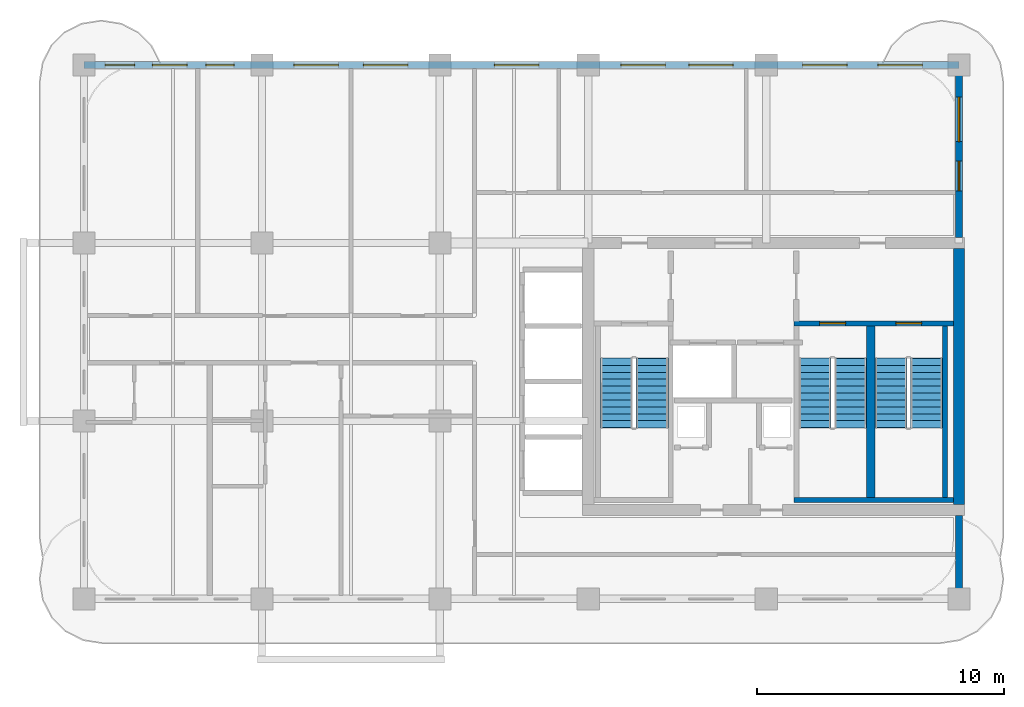
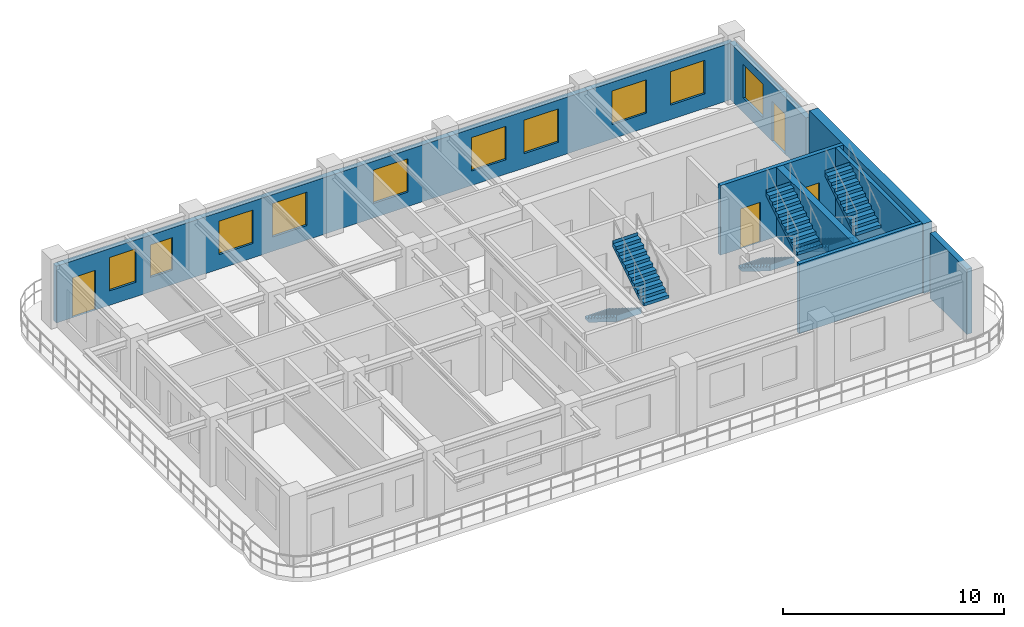
# One storey, part 5 of 7: 10 windows, 8 walls, 6 stair flights, 4 doors, 14 openings, 3 elements without a shape of their own.
"""IFC4 building model written with IfcOpenShell, lengths in metres."""

from ifc_helpers import new_model, si_unit, derived_unit, direction, frame, frame_2d, origin, place, context, subcontext, project, spatial, polyline, rectangle, outline, extrude, source, transform, mapped, material, layer, layer_set, type_object, type_shapes, element, fill, aggregate, save


model = new_model("IFC4")

# Units and contexts
model_context = context("Model", 3, precision=1e-05, world=origin(), true_north=direction((0.0, 1.0)))
body_context = subcontext(model_context, "Body", "Model", "MODEL_VIEW")
ifc_project = project(units=[si_unit("LENGTHUNIT", "METRE"), si_unit("AREAUNIT", "SQUARE_METRE"), si_unit("VOLUMEUNIT", "CUBIC_METRE"), si_unit("PLANEANGLEUNIT", "RADIAN"), si_unit("MASSUNIT", "GRAM", prefix="KILO"), si_unit("THERMODYNAMICTEMPERATUREUNIT", "KELVIN"), si_unit("POWERUNIT", "WATT"), derived_unit("THERMALTRANSMITTANCEUNIT", [(si_unit("POWERUNIT", "WATT"), 1), (si_unit("AREAUNIT", "SQUARE_METRE"), -1), (si_unit("THERMODYNAMICTEMPERATUREUNIT", "KELVIN"), -1)])], contexts=[model_context])

# Site, building, storey
site_placement = place(None, origin())
site = spatial("IfcSite", under=ifc_project, at=site_placement, CompositionType="ELEMENT")
building_placement = place(site_placement, origin())
building = spatial("IfcBuilding", under=site, at=building_placement, Name="Zahravan Archway Hotel and Residences", CompositionType="ELEMENT")
storey_placement = place(building_placement, frame((0.0, 0.0, 244.25)))
storey = spatial("IfcBuildingStorey", under=building, at=storey_placement, Name="L61", CompositionType="ELEMENT", Elevation=244.25)

# Walls
ifc_material_1 = material(Name="Concrete C50/60", Category="concrete")
ifc_layer_1 = layer(ifc_material_1, 0.449951171875, Name="Concrete C50/60", Category="concrete")
ifc_layer_set_1 = layer_set([ifc_layer_1], Name="Concrete C50/60")
wall_type_1 = type_object("IfcWallType", Name="CW-CORE-450", PredefinedType="SHEAR", material=ifc_layer_set_1)
wall_1_placement = place(storey_placement, frame((49.800048828125, 3.824951171875, 0.0), z_axis=(0.0, 0.0, 1.0), x_axis=(0.0, 1.0, 0.0)))
element("IfcWall", 1, at=wall_1_placement, inside=storey, type_object=wall_type_1, Name="L61 Core A Shear E Wall 450 mm", PredefinedType="SHEAR", context=body_context, shape_type="SweptSolid", body=[
    extrude(rectangle(XDim=10.35009765625, YDim=0.449951171875, at=frame_2d((5.175048828125, 0.0))), origin(), (0.0, 0.0, 1.0), 3.85009765625),
])
ifc_material_2 = material(Name="Honed Red-Ochre Sandstone & Insulated Block", Category="masonry")
ifc_layer_2 = layer(ifc_material_2, 0.280029296875, Name="Honed Red-Ochre Sandstone & Insulated Block", Category="masonry")
ifc_layer_set_2 = layer_set([ifc_layer_2], Name="Honed Red-Ochre Sandstone & Insulated Block")
wall_type_2 = type_object("IfcWallType", Name="EW-LOG-280", PredefinedType="SOLIDWALL", material=ifc_layer_set_2)
wall_2_placement = place(storey_placement, frame((49.800048828125, 0.050048828125, 0.0), z_axis=(0.0, 0.0, 1.0), x_axis=(0.0, 1.0, 0.0)))
element("IfcWall", 2, at=wall_2_placement, inside=storey, type_object=wall_type_2, Name="L61 Exterior Sandstone Wall WA-ES", PredefinedType="SOLIDWALL", context=body_context, shape_type="SweptSolid", body=[
    extrude(rectangle(XDim=3.329833984375, YDim=0.280029296875, at=frame_2d((1.6650390625, 0.0))), origin(), (0.0, 0.0, 1.0), 3.60009765625),
])

# Wall, openings, door, window
wall_3_placement = place(storey_placement, frame((49.800048828125, 14.6201171875, 0.0), z_axis=(0.0, 0.0, 1.0), x_axis=(0.0, 1.0, 0.0)))
wall_3 = element("IfcWall", 3, at=wall_3_placement, inside=storey, type_object=wall_type_2, Name="L61 Exterior Sandstone Wall WA-EN", PredefinedType="SOLIDWALL", context=body_context, shape_type="SweptSolid", body=[
    extrude(rectangle(XDim=6.929931640625, YDim=0.280029296875, at=frame_2d((3.46484375, 0.0))), origin(), (0.0, 0.0, 1.0), 3.135009765625),
])
opening_1_placement = place(wall_3_placement, frame((1.888916015625, 0.0, 0.0)))
opening_1 = element("IfcOpeningElement", 4, at=opening_1_placement, cuts=wall_3, Name="Opening ED-BL1", PredefinedType="OPENING", context=body_context, shape_type="SweptSolid", body=[
    extrude(rectangle(XDim=1.199951171875, YDim=2.199951171875, at=frame_2d((0.60009765625, 1.10009765625))), frame((0.0, 0.14990234375, 0.0), z_axis=(0.0, -1.0, 0.0), x_axis=(1.0, 0.0, 0.0)), (0.0, 0.0, 1.0), 0.300048828125),
])
opening_2_placement = place(wall_3_placement, frame((3.884033203125, 0.0, 0.800048828125)))
opening_2 = element("IfcOpeningElement", 5, at=opening_2_placement, cuts=wall_3, Name="Opening W-02", PredefinedType="OPENING", context=body_context, shape_type="SweptSolid", body=[
    extrude(rectangle(XDim=1.800048828125, YDim=1.85009765625, at=frame_2d((0.89990234375, 0.925048828125))), frame((0.0, 0.14990234375, 0.0), z_axis=(0.0, -1.0, 0.0), x_axis=(1.0, 0.0, 0.0)), (0.0, 0.0, 1.0), 0.300048828125),
])
ifc_material_3 = material(Name="Bronze-Anodized Glazed Aluminium", Category="aluminium")
door_type_1 = type_object("IfcDoorType", Name="ED-BALC-1200", OperationType="SLIDING_TO_LEFT", PredefinedType="DOOR", material=ifc_material_3)
shared_shape_1 = source(origin(), body_context, "Body", "SweptSolid", [
    extrude(rectangle(XDim=1.199951171875, YDim=2.199951171875, at=frame_2d((0.60009765625, 1.10009765625))), frame((0.0, 0.02490234375, 0.0), z_axis=(0.0, -1.0, 0.0), x_axis=(1.0, 0.0, 0.0)), (0.0, 0.0, 1.0), 0.050048828125),
])
type_shapes(door_type_1, [shared_shape_1])
door_1_placement = place(opening_1_placement, origin())
door_1 = element("IfcDoor", 6, at=door_1_placement, inside=storey, type_object=door_type_1, Name="L61 Outdoor Access Sliding Door (SLB-BAL-L61-EA)", OperationType="SLIDING_TO_LEFT", OverallHeight=2.199951171875, OverallWidth=1.199951171875, PredefinedType="DOOR", context=body_context, shape_type="MappedRepresentation", body=[
    mapped(shared_shape_1, transform((0.0, 0.0, 0.0), scale=1.0)),
])
fill(opening_1, door_1)
ifc_material_4 = material(Name="Bronze-Anodized Thermal-Break Aluminium & Low-E Glass", Category="aluminium")
window_type_1 = type_object("IfcWindowType", Name="WIN-TWR-1800", PartitioningType="DOUBLE_PANEL_VERTICAL", PredefinedType="WINDOW", material=ifc_material_4)
shared_shape_2 = source(origin(), body_context, "Body", "SweptSolid", [
    extrude(rectangle(XDim=1.800048828125, YDim=1.85009765625, at=frame_2d((0.89990234375, 0.925048828125))), frame((0.0, 0.030029296875, 0.0), z_axis=(0.0, -1.0, 0.0), x_axis=(1.0, 0.0, 0.0)), (0.0, 0.0, 1.0), 0.06005859375),
])
type_shapes(window_type_1, [shared_shape_2])
window_1_placement = place(opening_2_placement, origin())
window_1 = element("IfcWindow", 7, at=window_1_placement, inside=storey, type_object=window_type_1, Name="L61 Loggia Window 10", OverallHeight=1.85009765625, OverallWidth=1.800048828125, PartitioningType="DOUBLE_PANEL_VERTICAL", PredefinedType="WINDOW", context=body_context, shape_type="MappedRepresentation", body=[
    mapped(shared_shape_2, transform((0.0, 0.0, 0.0), scale=1.0)),
])
fill(opening_2, window_1)

# Wall, openings, door, windows
wall_4_placement = place(storey_placement, frame((14.39990234375, 21.60009765625, 0.0), z_axis=(0.0, 0.0, 1.0), x_axis=(1.0, 0.0, 0.0)))
wall_4 = element("IfcWall", 8, at=wall_4_placement, inside=storey, type_object=wall_type_2, Name="L61 Exterior Sandstone Wall WA-N", PredefinedType="SOLIDWALL", context=body_context, shape_type="SweptSolid", body=[
    extrude(rectangle(XDim=35.400146484375, YDim=0.280029296875, at=frame_2d((17.7001953125, 0.0))), origin(), (0.0, 0.0, 1.0), 3.135009765625),
])
opening_3_placement = place(wall_4_placement, frame((0.85009765625, 0.0, 0.0)))
opening_3 = element("IfcOpeningElement", 9, at=opening_3_placement, cuts=wall_4, Name="Opening ED-BL1", PredefinedType="OPENING", context=body_context, shape_type="SweptSolid", body=[
    extrude(rectangle(XDim=1.199951171875, YDim=2.199951171875, at=frame_2d((0.60009765625, 1.10009765625))), frame((0.0, 0.14990234375, 0.0), z_axis=(0.0, -1.0, 0.0), x_axis=(1.0, 0.0, 0.0)), (0.0, 0.0, 1.0), 0.300048828125),
])
opening_4_placement = place(wall_4_placement, frame((2.77099609375, 0.0, 0.800048828125)))
opening_4 = element("IfcOpeningElement", 10, at=opening_4_placement, cuts=wall_4, Name="Opening W-03", PredefinedType="OPENING", context=body_context, shape_type="SweptSolid", body=[
    extrude(rectangle(XDim=1.39990234375, YDim=1.85009765625, at=frame_2d((0.699951171875, 0.925048828125))), frame((0.0, 0.14990234375, 0.0), z_axis=(0.0, -1.0, 0.0), x_axis=(1.0, 0.0, 0.0)), (0.0, 0.0, 1.0), 0.300048828125),
])
opening_5_placement = place(wall_4_placement, frame((4.928955078125, 0.0, 0.800048828125)))
opening_5 = element("IfcOpeningElement", 11, at=opening_5_placement, cuts=wall_4, Name="Opening W-05", PredefinedType="OPENING", context=body_context, shape_type="SweptSolid", body=[
    extrude(rectangle(XDim=1.14990234375, YDim=1.800048828125, at=frame_2d((0.574951171875, 0.89990234375))), frame((0.0, 0.14990234375, 0.0), z_axis=(0.0, -1.0, 0.0), x_axis=(1.0, 0.0, 0.0)), (0.0, 0.0, 1.0), 0.300048828125),
])
opening_6_placement = place(wall_4_placement, frame((8.49609375, 0.0, 0.800048828125)))
opening_6 = element("IfcOpeningElement", 12, at=opening_6_placement, cuts=wall_4, Name="Opening W-02", PredefinedType="OPENING", context=body_context, shape_type="SweptSolid", body=[
    extrude(rectangle(XDim=1.800048828125, YDim=1.85009765625, at=frame_2d((0.89990234375, 0.925048828125))), frame((0.0, 0.14990234375, 0.0), z_axis=(0.0, -1.0, 0.0), x_axis=(1.0, 0.0, 0.0)), (0.0, 0.0, 1.0), 0.300048828125),
])
opening_7_placement = place(wall_4_placement, frame((11.303955078125, 0.0, 0.800048828125)))
opening_7 = element("IfcOpeningElement", 13, at=opening_7_placement, cuts=wall_4, Name="Opening W-02", PredefinedType="OPENING", context=body_context, shape_type="SweptSolid", body=[
    extrude(rectangle(XDim=1.800048828125, YDim=1.85009765625, at=frame_2d((0.89990234375, 0.925048828125))), frame((0.0, 0.14990234375, 0.0), z_axis=(0.0, -1.0, 0.0), x_axis=(1.0, 0.0, 0.0)), (0.0, 0.0, 1.0), 0.300048828125),
])
opening_8_placement = place(wall_4_placement, frame((16.60107421875, 0.0, 0.800048828125)))
opening_8 = element("IfcOpeningElement", 14, at=opening_8_placement, cuts=wall_4, Name="Opening W-02", PredefinedType="OPENING", context=body_context, shape_type="SweptSolid", body=[
    extrude(rectangle(XDim=1.800048828125, YDim=1.85009765625, at=frame_2d((0.89990234375, 0.925048828125))), frame((0.0, 0.14990234375, 0.0), z_axis=(0.0, -1.0, 0.0), x_axis=(1.0, 0.0, 0.0)), (0.0, 0.0, 1.0), 0.300048828125),
])
opening_9_placement = place(wall_4_placement, frame((21.722900390625, 0.0, 0.800048828125)))
opening_9 = element("IfcOpeningElement", 15, at=opening_9_placement, cuts=wall_4, Name="Opening W-02", PredefinedType="OPENING", context=body_context, shape_type="SweptSolid", body=[
    extrude(rectangle(XDim=1.800048828125, YDim=1.85009765625, at=frame_2d((0.89990234375, 0.925048828125))), frame((0.0, 0.14990234375, 0.0), z_axis=(0.0, -1.0, 0.0), x_axis=(1.0, 0.0, 0.0)), (0.0, 0.0, 1.0), 0.300048828125),
])
opening_10_placement = place(wall_4_placement, frame((24.468994140625, 0.0, 0.800048828125)))
opening_10 = element("IfcOpeningElement", 16, at=opening_10_placement, cuts=wall_4, Name="Opening W-02", PredefinedType="OPENING", context=body_context, shape_type="SweptSolid", body=[
    extrude(rectangle(XDim=1.800048828125, YDim=1.85009765625, at=frame_2d((0.89990234375, 0.925048828125))), frame((0.0, 0.14990234375, 0.0), z_axis=(0.0, -1.0, 0.0), x_axis=(1.0, 0.0, 0.0)), (0.0, 0.0, 1.0), 0.300048828125),
])
opening_11_placement = place(wall_4_placement, frame((29.074951171875, 0.0, 0.800048828125)))
opening_11 = element("IfcOpeningElement", 17, at=opening_11_placement, cuts=wall_4, Name="Opening W-02", PredefinedType="OPENING", context=body_context, shape_type="SweptSolid", body=[
    extrude(rectangle(XDim=1.800048828125, YDim=1.85009765625, at=frame_2d((0.89990234375, 0.925048828125))), frame((0.0, 0.14990234375, 0.0), z_axis=(0.0, -1.0, 0.0), x_axis=(1.0, 0.0, 0.0)), (0.0, 0.0, 1.0), 0.300048828125),
])
opening_12_placement = place(wall_4_placement, frame((32.125, 0.0, 0.800048828125)))
opening_12 = element("IfcOpeningElement", 18, at=opening_12_placement, cuts=wall_4, Name="Opening W-02", PredefinedType="OPENING", context=body_context, shape_type="SweptSolid", body=[
    extrude(rectangle(XDim=1.800048828125, YDim=1.85009765625, at=frame_2d((0.89990234375, 0.925048828125))), frame((0.0, 0.14990234375, 0.0), z_axis=(0.0, -1.0, 0.0), x_axis=(1.0, 0.0, 0.0)), (0.0, 0.0, 1.0), 0.300048828125),
])
door_2_placement = place(opening_3_placement, origin())
door_2 = element("IfcDoor", 19, at=door_2_placement, inside=storey, type_object=door_type_1, Name="L61 Outdoor Access Sliding Door (SLB-BAL-L61-WA)", OperationType="SLIDING_TO_LEFT", OverallHeight=2.199951171875, OverallWidth=1.199951171875, PredefinedType="DOOR", context=body_context, shape_type="MappedRepresentation", body=[
    mapped(shared_shape_1, transform((0.0, 0.0, 0.0), scale=1.0)),
])
fill(opening_3, door_2)
window_type_2 = type_object("IfcWindowType", Name="WIN-TWR-1400", PartitioningType="SINGLE_PANEL", PredefinedType="WINDOW", material=ifc_material_4)
shared_shape_3 = source(origin(), body_context, "Body", "SweptSolid", [
    extrude(rectangle(XDim=1.39990234375, YDim=1.85009765625, at=frame_2d((0.699951171875, 0.925048828125))), frame((0.0, 0.030029296875, 0.0), z_axis=(0.0, -1.0, 0.0), x_axis=(1.0, 0.0, 0.0)), (0.0, 0.0, 1.0), 0.06005859375),
])
type_shapes(window_type_2, [shared_shape_3])
window_2_placement = place(opening_4_placement, origin())
window_2 = element("IfcWindow", 20, at=window_2_placement, inside=storey, type_object=window_type_2, Name="L61 Loggia Window 11", OverallHeight=1.85009765625, OverallWidth=1.39990234375, PartitioningType="SINGLE_PANEL", PredefinedType="WINDOW", context=body_context, shape_type="MappedRepresentation", body=[
    mapped(shared_shape_3, transform((0.0, 0.0, 0.0), scale=1.0)),
])
fill(opening_4, window_2)
window_3_placement = place(opening_6_placement, origin())
window_3 = element("IfcWindow", 21, at=window_3_placement, inside=storey, type_object=window_type_1, Name="L61 Loggia Window 13", OverallHeight=1.85009765625, OverallWidth=1.800048828125, PartitioningType="DOUBLE_PANEL_VERTICAL", PredefinedType="WINDOW", context=body_context, shape_type="MappedRepresentation", body=[
    mapped(shared_shape_2, transform((0.0, 0.0, 0.0), scale=1.0)),
])
fill(opening_6, window_3)
window_4_placement = place(opening_7_placement, origin())
window_4 = element("IfcWindow", 22, at=window_4_placement, inside=storey, type_object=window_type_1, Name="L61 Loggia Window 14", OverallHeight=1.85009765625, OverallWidth=1.800048828125, PartitioningType="DOUBLE_PANEL_VERTICAL", PredefinedType="WINDOW", context=body_context, shape_type="MappedRepresentation", body=[
    mapped(shared_shape_2, transform((0.0, 0.0, 0.0), scale=1.0)),
])
fill(opening_7, window_4)
window_5_placement = place(opening_8_placement, origin())
window_5 = element("IfcWindow", 23, at=window_5_placement, inside=storey, type_object=window_type_1, Name="L61 Loggia Window 15", OverallHeight=1.85009765625, OverallWidth=1.800048828125, PartitioningType="DOUBLE_PANEL_VERTICAL", PredefinedType="WINDOW", context=body_context, shape_type="MappedRepresentation", body=[
    mapped(shared_shape_2, transform((0.0, 0.0, 0.0), scale=1.0)),
])
fill(opening_8, window_5)
window_6_placement = place(opening_9_placement, origin())
window_6 = element("IfcWindow", 24, at=window_6_placement, inside=storey, type_object=window_type_1, Name="L61 Loggia Window 16", OverallHeight=1.85009765625, OverallWidth=1.800048828125, PartitioningType="DOUBLE_PANEL_VERTICAL", PredefinedType="WINDOW", context=body_context, shape_type="MappedRepresentation", body=[
    mapped(shared_shape_2, transform((0.0, 0.0, 0.0), scale=1.0)),
])
fill(opening_9, window_6)
window_7_placement = place(opening_10_placement, origin())
window_7 = element("IfcWindow", 25, at=window_7_placement, inside=storey, type_object=window_type_1, Name="L61 Loggia Window 17", OverallHeight=1.85009765625, OverallWidth=1.800048828125, PartitioningType="DOUBLE_PANEL_VERTICAL", PredefinedType="WINDOW", context=body_context, shape_type="MappedRepresentation", body=[
    mapped(shared_shape_2, transform((0.0, 0.0, 0.0), scale=1.0)),
])
fill(opening_10, window_7)
window_8_placement = place(opening_11_placement, origin())
window_8 = element("IfcWindow", 26, at=window_8_placement, inside=storey, type_object=window_type_1, Name="L61 Loggia Window 18", OverallHeight=1.85009765625, OverallWidth=1.800048828125, PartitioningType="DOUBLE_PANEL_VERTICAL", PredefinedType="WINDOW", context=body_context, shape_type="MappedRepresentation", body=[
    mapped(shared_shape_2, transform((0.0, 0.0, 0.0), scale=1.0)),
])
fill(opening_11, window_8)
window_9_placement = place(opening_12_placement, origin())
window_9 = element("IfcWindow", 27, at=window_9_placement, inside=storey, type_object=window_type_1, Name="L61 Loggia Window 19", OverallHeight=1.85009765625, OverallWidth=1.800048828125, PartitioningType="DOUBLE_PANEL_VERTICAL", PredefinedType="WINDOW", context=body_context, shape_type="MappedRepresentation", body=[
    mapped(shared_shape_2, transform((0.0, 0.0, 0.0), scale=1.0)),
])
fill(opening_12, window_9)
window_type_3 = type_object("IfcWindowType", Name="WIN-TWR-1150", PartitioningType="SINGLE_PANEL", PredefinedType="WINDOW", material=ifc_material_4)
shared_shape_4 = source(origin(), body_context, "Body", "SweptSolid", [
    extrude(rectangle(XDim=1.14990234375, YDim=1.800048828125, at=frame_2d((0.574951171875, 0.89990234375))), frame((0.0, 0.030029296875, 0.0), z_axis=(0.0, -1.0, 0.0), x_axis=(1.0, 0.0, 0.0)), (0.0, 0.0, 1.0), 0.06005859375),
])
type_shapes(window_type_3, [shared_shape_4])
window_10_placement = place(opening_5_placement, origin())
window_10 = element("IfcWindow", 28, at=window_10_placement, inside=storey, type_object=window_type_3, Name="L61 Loggia Window 12", OverallHeight=1.800048828125, OverallWidth=1.14990234375, PartitioningType="SINGLE_PANEL", PredefinedType="WINDOW", context=body_context, shape_type="MappedRepresentation", body=[
    mapped(shared_shape_4, transform((0.0, 0.0, 0.0), scale=1.0)),
])
fill(opening_5, window_10)

# Walls
ifc_layer_3 = layer(ifc_material_1, 0.199951171875, Name="Concrete C50/60", Category="concrete")
ifc_layer_set_3 = layer_set([ifc_layer_3], Name="Concrete C50/60")
wall_type_3 = type_object("IfcWallType", Name="SW-STAIR-200", PredefinedType="SHEAR", material=ifc_layer_set_3)
wall_5_placement = place(storey_placement, frame((43.1201171875, 4.0, 0.0), z_axis=(0.0, 0.0, 1.0), x_axis=(1.0, 0.0, 0.0)))
element("IfcWall", 29, at=wall_5_placement, inside=storey, type_object=wall_type_3, Name="L61 Stairwell RC Wall CA-SA23S", PredefinedType="SHEAR", context=body_context, shape_type="SweptSolid", body=[
    extrude(rectangle(XDim=6.454833984375, YDim=0.199951171875, at=frame_2d((3.2275390625, 0.0))), origin(), (0.0, 0.0, 1.0), 3.85009765625),
])
wall_6_placement = place(storey_placement, frame((49.239990234375, 4.10009765625, 0.0), z_axis=(0.0, 0.0, 1.0), x_axis=(0.0, 1.0, 0.0)))
element("IfcWall", 30, at=wall_6_placement, inside=storey, type_object=wall_type_3, Name="L61 Stairwell RC Wall CA-SA3E", PredefinedType="SHEAR", context=body_context, shape_type="SweptSolid", body=[
    extrude(rectangle(XDim=6.949951171875, YDim=0.199951171875, at=frame_2d((3.47509765625, 0.0))), origin(), (0.0, 0.0, 1.0), 3.85009765625),
])

# Wall, openings, doors
wall_7_placement = place(storey_placement, frame((43.1201171875, 11.14990234375, 0.0), z_axis=(0.0, 0.0, 1.0), x_axis=(1.0, 0.0, 0.0)))
wall_7 = element("IfcWall", 31, at=wall_7_placement, inside=storey, type_object=wall_type_3, Name="L61 Stairwell RC Wall CA-SA23N", PredefinedType="SHEAR", context=body_context, shape_type="SweptSolid", body=[
    extrude(rectangle(XDim=6.454833984375, YDim=0.199951171875, at=frame_2d((3.2275390625, 0.0))), origin(), (0.0, 0.0, 1.0), 3.85009765625),
])
opening_13_placement = place(wall_7_placement, frame((1.044921875, 0.0, 0.0)))
opening_13 = element("IfcOpeningElement", 32, at=opening_13_placement, cuts=wall_7, Name="Opening FD-S1", PredefinedType="OPENING", context=body_context, shape_type="SweptSolid", body=[
    extrude(rectangle(XDim=1.050048828125, YDim=2.199951171875, at=frame_2d((0.52490234375, 1.10009765625))), frame((0.0, 0.10986328125, 0.0), z_axis=(0.0, -1.0, 0.0), x_axis=(1.0, 0.0, 0.0)), (0.0, 0.0, 1.0), 0.219970703125),
])
opening_14_placement = place(wall_7_placement, frame((4.125, 0.0, 0.0)))
opening_14 = element("IfcOpeningElement", 33, at=opening_14_placement, cuts=wall_7, Name="Opening FD-S1", PredefinedType="OPENING", context=body_context, shape_type="SweptSolid", body=[
    extrude(rectangle(XDim=1.050048828125, YDim=2.199951171875, at=frame_2d((0.52490234375, 1.10009765625))), frame((0.0, 0.10986328125, 0.0), z_axis=(0.0, -1.0, 0.0), x_axis=(1.0, 0.0, 0.0)), (0.0, 0.0, 1.0), 0.219970703125),
])
ifc_material_5 = material(Name="Fire-Rated Painted Steel", Category="steel")
door_type_2 = type_object("IfcDoorType", Name="FD-STAIR-1100", OperationType="NOTDEFINED", PredefinedType="DOOR", material=ifc_material_5)
shared_shape_5 = source(origin(), body_context, "Body", "SweptSolid", [
    extrude(rectangle(XDim=1.050048828125, YDim=2.199951171875, at=frame_2d((0.52490234375, 1.10009765625))), frame((0.0, 0.02490234375, 0.0), z_axis=(0.0, -1.0, 0.0), x_axis=(1.0, 0.0, 0.0)), (0.0, 0.0, 1.0), 0.050048828125),
])
type_shapes(door_type_2, [shared_shape_5])
door_3_placement = place(opening_13_placement, origin())
door_3 = element("IfcDoor", 34, at=door_3_placement, inside=storey, type_object=door_type_2, Name="L61 Stair ST-A2 Door", OperationType="SINGLE_SWING_RIGHT", OverallHeight=2.199951171875, OverallWidth=1.050048828125, PredefinedType="DOOR", context=body_context, shape_type="MappedRepresentation", body=[
    mapped(shared_shape_5, transform((0.0, 0.0, 0.0), scale=1.0)),
])
fill(opening_13, door_3)
door_4_placement = place(opening_14_placement, origin())
door_4 = element("IfcDoor", 35, at=door_4_placement, inside=storey, type_object=door_type_2, Name="L61 Stair ST-A3 Door", OperationType="SINGLE_SWING_LEFT", OverallHeight=2.199951171875, OverallWidth=1.050048828125, PredefinedType="DOOR", context=body_context, shape_type="MappedRepresentation", body=[
    mapped(shared_shape_5, transform((0.0, 0.0, 0.0), scale=1.0)),
])
fill(opening_14, door_4)

# Wall
ifc_layer_4 = layer(ifc_material_1, 0.340087890625, Name="Concrete C50/60", Category="concrete")
ifc_layer_set_4 = layer_set([ifc_layer_4], Name="Concrete C50/60")
wall_type_4 = type_object("IfcWallType", Name="SW-STAIR-340", PredefinedType="SHEAR", material=ifc_layer_set_4)
wall_8_placement = place(storey_placement, frame((46.22998046875, 4.10009765625, 0.0), z_axis=(0.0, 0.0, 1.0), x_axis=(0.0, 1.0, 0.0)))
element("IfcWall", 36, at=wall_8_placement, inside=storey, type_object=wall_type_4, Name="L61 Stairwell RC Wall CA-SA23M", PredefinedType="SHEAR", context=body_context, shape_type="SweptSolid", body=[
    extrude(rectangle(XDim=6.949951171875, YDim=0.340087890625, at=frame_2d((3.47509765625, 0.0))), origin(), (0.0, 0.0, 1.0), 3.85009765625),
])

# Stair, stair flights
stair_type = type_object("IfcStairType", Name="STR-CORE-1300", PredefinedType="HALF_TURN_STAIR", material=ifc_material_1)
stair_1_placement = place(storey_placement, origin())
stair_1 = element("IfcStair", 37, at=stair_1_placement, inside=storey, type_object=stair_type, Name="L61 Core A Exit Stair 1", PredefinedType="HALF_TURN_STAIR")
ifc_layer_5 = layer(ifc_material_1, 0.199951171875, Name="Concrete C50/60", Category="concrete")
ifc_layer_set_5 = layer_set([ifc_layer_5], Name="Concrete C50/60")
stair_flight_type = type_object("IfcStairFlightType", Name="SFL-CORE-1300", PredefinedType="STRAIGHT", material=ifc_layer_set_5)
shared_shape_6 = source(origin(), body_context, "Body", "SweptSolid", [
    extrude(outline(polyline([(-0.01611328125, 0.0), (-0.01611328125, 0.175048828125), (0.280029296875, 0.175048828125), (0.280029296875, 0.35009765625), (0.56005859375, 0.35009765625), (0.56005859375, 0.52490234375), (0.840087890625, 0.52490234375), (0.840087890625, 0.699951171875), (1.1201171875, 0.699951171875), (1.1201171875, 0.875), (1.39990234375, 0.875), (1.39990234375, 1.050048828125), (1.679931640625, 1.050048828125), (1.679931640625, 1.22509765625), (1.9599609375, 1.22509765625), (1.9599609375, 1.39990234375), (2.239990234375, 1.39990234375), (2.239990234375, 1.574951171875), (2.52001953125, 1.574951171875), (2.52001953125, 1.75), (2.800048828125, 1.75), (2.800048828125, 1.925048828125), (2.816162109375, 1.925048828125), (2.816162109375, 1.5732421875), (0.28271484375, 0.0), (-0.01611328125, 0.0)])), frame((0.0, 0.64990234375, 0.0), z_axis=(0.0, -1.0, 0.0), x_axis=(1.0, 0.0, 0.0)), (0.0, 0.0, 1.0), 1.300048828125),
])
stair_flight_1_placement = place(storey_placement, frame((35.949951171875, 9.72998046875, 0.0), z_axis=(0.0, 0.0, 1.0), x_axis=(0.0, -1.0, 0.0)))
stair_flight_1 = element("IfcStairFlight", 38, at=stair_flight_1_placement, type_object=stair_flight_type, Name="ST-A1 flight 1", NumberOfRisers=11, NumberOfTreads=10, PredefinedType="STRAIGHT", RiserHeight=0.175, TreadLength=0.28, context=body_context, shape_type="MappedRepresentation", body=[
    mapped(shared_shape_6, transform((0.0, 0.0, 0.0), scale=1.0)),
])
stair_flight_2_placement = place(storey_placement, frame((37.389892578125, 6.929931640625, 1.925048828125), z_axis=(0.0, 0.0, 1.0), x_axis=(0.0, 1.0, 0.0)))
stair_flight_2 = element("IfcStairFlight", 39, at=stair_flight_2_placement, type_object=stair_flight_type, Name="ST-A1 flight 2", NumberOfRisers=11, NumberOfTreads=10, PredefinedType="STRAIGHT", RiserHeight=0.175, TreadLength=0.28, context=body_context, shape_type="MappedRepresentation", body=[
    mapped(shared_shape_6, transform((0.0, 0.0, 0.0), scale=1.0)),
])
aggregate(stair_1, [stair_flight_1, stair_flight_2])

stair_2_placement = place(storey_placement, origin())
stair_2 = element("IfcStair", 40, at=stair_2_placement, inside=storey, type_object=stair_type, Name="L61 Core A Exit Stair 2", PredefinedType="HALF_TURN_STAIR")
stair_flight_3_placement = place(storey_placement, frame((43.969970703125, 9.72998046875, 0.0), z_axis=(0.0, 0.0, 1.0), x_axis=(0.0, -1.0, 0.0)))
stair_flight_3 = element("IfcStairFlight", 41, at=stair_flight_3_placement, type_object=stair_flight_type, Name="ST-A2 flight 1", NumberOfRisers=11, NumberOfTreads=10, PredefinedType="STRAIGHT", RiserHeight=0.175, TreadLength=0.28, context=body_context, shape_type="MappedRepresentation", body=[
    mapped(shared_shape_6, transform((0.0, 0.0, 0.0), scale=1.0)),
])
stair_flight_4_placement = place(storey_placement, frame((45.409912109375, 6.929931640625, 1.925048828125), z_axis=(0.0, 0.0, 1.0), x_axis=(0.0, 1.0, 0.0)))
stair_flight_4 = element("IfcStairFlight", 42, at=stair_flight_4_placement, type_object=stair_flight_type, Name="ST-A2 flight 2", NumberOfRisers=11, NumberOfTreads=10, PredefinedType="STRAIGHT", RiserHeight=0.175, TreadLength=0.28, context=body_context, shape_type="MappedRepresentation", body=[
    mapped(shared_shape_6, transform((0.0, 0.0, 0.0), scale=1.0)),
])
aggregate(stair_2, [stair_flight_3, stair_flight_4])

stair_3_placement = place(storey_placement, origin())
stair_3 = element("IfcStair", 43, at=stair_3_placement, inside=storey, type_object=stair_type, Name="L61 Core A Exit Stair 3", PredefinedType="HALF_TURN_STAIR")
stair_flight_5_placement = place(storey_placement, frame((47.050048828125, 9.72998046875, 0.0), z_axis=(0.0, 0.0, 1.0), x_axis=(0.0, -1.0, 0.0)))
stair_flight_5 = element("IfcStairFlight", 44, at=stair_flight_5_placement, type_object=stair_flight_type, Name="ST-A3 flight 1", NumberOfRisers=11, NumberOfTreads=10, PredefinedType="STRAIGHT", RiserHeight=0.175, TreadLength=0.28, context=body_context, shape_type="MappedRepresentation", body=[
    mapped(shared_shape_6, transform((0.0, 0.0, 0.0), scale=1.0)),
])
stair_flight_6_placement = place(storey_placement, frame((48.489990234375, 6.929931640625, 1.925048828125), z_axis=(0.0, 0.0, 1.0), x_axis=(0.0, 1.0, 0.0)))
stair_flight_6 = element("IfcStairFlight", 45, at=stair_flight_6_placement, type_object=stair_flight_type, Name="ST-A3 flight 2", NumberOfRisers=11, NumberOfTreads=10, PredefinedType="STRAIGHT", RiserHeight=0.175, TreadLength=0.28, context=body_context, shape_type="MappedRepresentation", body=[
    mapped(shared_shape_6, transform((0.0, 0.0, 0.0), scale=1.0)),
])
aggregate(stair_3, [stair_flight_5, stair_flight_6])

save(model, "model.ifc")
